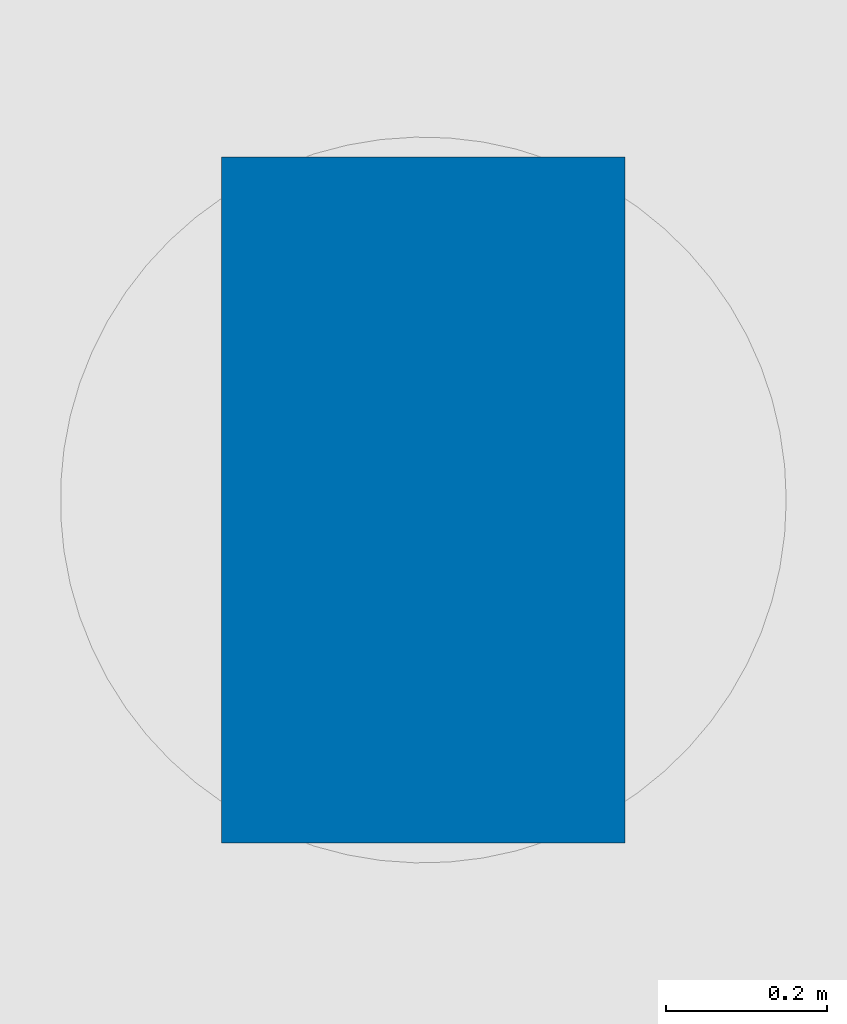
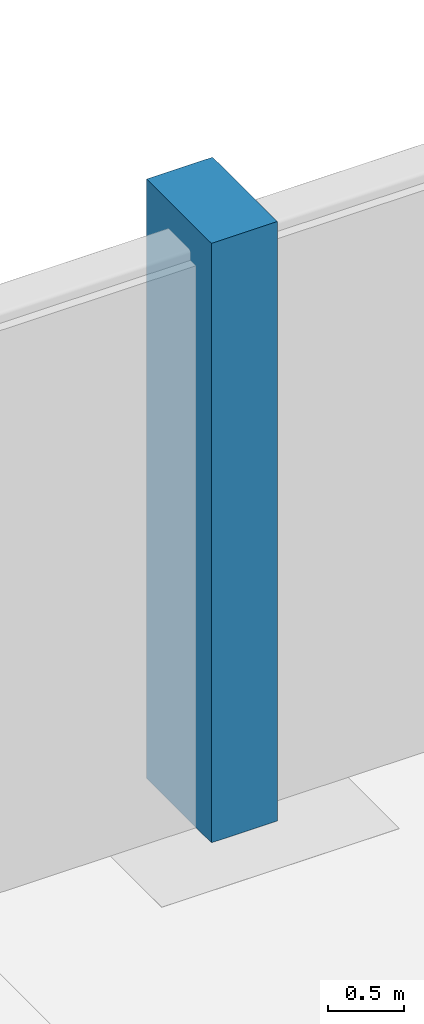
# One storey, part 28 of 105: 1 column.
"""IFC4 building model written with IfcOpenShell, lengths in metres."""

import ifcopenshell
import ifcopenshell.guid

model = None  # the IFC model being written
_history = None  # IfcOwnerHistory: only IFC2X3 demands one
_inside = {}  # id of a spatial element -> (the spatial element, [elements in it])
_under = {}  # id of a project, library or spatial element -> (it, [spatial elements below it])
_declared = {}  # id of a project -> (the project, [libraries it declares])
_typed = {}  # id of a type object -> (the type object, [elements of that type])
_made_of = {}  # id of a material, layer set ... -> (it, [elements and type objects made of it])


def new_model(schema):
    """Start an empty IFC model of exactly this schema.

    Asked for "IFC4X3", IfcOpenShell would pick the latest addendum, in which some entities
    have other attributes; the version numbers below select the first issue.
    IFC2X3 requires an IfcOwnerHistory on every rooted entity: one is made here for all.
    """
    global model, _history
    if schema == "IFC4X3":
        model = ifcopenshell.file(schema_version=(4, 3, 0, 0))
    else:
        model = ifcopenshell.file(schema=schema)
    _inside.clear()
    _under.clear()
    _declared.clear()
    _typed.clear()
    _made_of.clear()
    _history = None
    if model.schema == "IFC2X3":
        org = make("IfcOrganization", Name="unknown")
        user = make(
            "IfcPersonAndOrganization",
            ThePerson=make("IfcPerson", FamilyName="unknown"),
            TheOrganization=org,
        )
        app = make(
            "IfcApplication",
            ApplicationDeveloper=org,
            Version="unknown",
            ApplicationFullName="unknown",
            ApplicationIdentifier="unknown",
        )
        _history = make(
            "IfcOwnerHistory",
            OwningUser=user,
            OwningApplication=app,
            ChangeAction="ADDED",
            CreationDate=0,
        )
    return model


def make(cls, **values):
    """One entity of the class cls with the attributes given. An attribute that is None is left unset."""
    return model.create_entity(
        cls, **{name: value for name, value in values.items() if value is not None}
    )


def rooted(cls, **values):
    """An entity with a GlobalId (a new one), such as an element, a storey or a relation."""
    return make(cls, GlobalId=ifcopenshell.guid.new(), OwnerHistory=_history, **values)


def si_unit(unit_type, name, prefix=None):
    """IfcSIUnit, for example si_unit("LENGTHUNIT", "METRE", prefix="MILLI")."""
    return make("IfcSIUnit", UnitType=unit_type, Prefix=prefix, Name=name)


def assignment(units):
    """IfcUnitAssignment: the units of a project."""
    return None if units is None else make("IfcUnitAssignment", Units=units)


def point(xyz):
    """IfcCartesianPoint."""
    return None if xyz is None else make("IfcCartesianPoint", Coordinates=xyz)


def direction(xyz):
    """IfcDirection."""
    return None if xyz is None else make("IfcDirection", DirectionRatios=xyz)


def frame(location, z_axis=None, x_axis=None):
    """IfcAxis2Placement3D, a coordinate frame: its origin and axes. An axis left out is left unset."""
    return make(
        "IfcAxis2Placement3D",
        Location=point(location),
        Axis=direction(z_axis),
        RefDirection=direction(x_axis),
    )


def frame_2d(location, x_axis=None):
    """IfcAxis2Placement2D, a coordinate frame in the plane: its origin and x axis."""
    return make(
        "IfcAxis2Placement2D", Location=point(location), RefDirection=direction(x_axis)
    )


def origin():
    """The frame at (0, 0, 0) with its axes left unset."""
    return frame((0.0, 0.0, 0.0))


def origin_2d():
    """The frame at (0, 0) in the plane with its x axis left unset."""
    return frame_2d((0.0, 0.0))


def place(relative_to, where):
    """IfcLocalPlacement: puts the frame where relative to a parent placement (None: the world)."""
    return make(
        "IfcLocalPlacement", PlacementRelTo=relative_to, RelativePlacement=where
    )


def context(
    kind, dimensions, precision=None, world=None, true_north=None, identifier=None
):
    """IfcGeometricRepresentationContext, for example the 3D "Model" context."""
    return make(
        "IfcGeometricRepresentationContext",
        ContextIdentifier=identifier,
        ContextType=kind,
        CoordinateSpaceDimension=dimensions,
        Precision=precision,
        WorldCoordinateSystem=world,
        TrueNorth=true_north,
    )


def subcontext(parent, identifier, kind, view, scale=None):
    """IfcGeometricRepresentationSubContext, for example "Body" below "Model"."""
    return make(
        "IfcGeometricRepresentationSubContext",
        ContextIdentifier=identifier,
        ContextType=kind,
        ParentContext=parent,
        TargetScale=scale,
        TargetView=view,
    )


def project(units=None, contexts=None):
    """IfcProject with its units and contexts."""
    return rooted(
        "IfcProject",
        Name="project",
        RepresentationContexts=contexts,
        UnitsInContext=assignment(units),
    )


def spatial(cls, under=None, at=None, **own):
    """A site, building, storey or space (cls), placed at a placement, below another one or the project."""
    s = rooted(cls, ObjectPlacement=at, **own)
    if under is not None:
        _under.setdefault(under.id(), (under, []))[1].append(s)
    return s


def profile(cls, at=None, kind="AREA", **sizes):
    """A parametric profile (cls). Its sizes go by their IFC names, for example OverallWidth=200.0."""
    return make(cls, ProfileType=kind, Position=at, **sizes)


def rectangle(**sizes):
    """IfcRectangleProfileDef."""
    return profile("IfcRectangleProfileDef", **sizes)


def extrude(swept, where, along, depth):
    """IfcExtrudedAreaSolid: the profile swept, set in the frame where, extruded along a direction by depth."""
    return make(
        "IfcExtrudedAreaSolid",
        SweptArea=swept,
        Position=where,
        ExtrudedDirection=direction(along),
        Depth=depth,
    )


def shape(context_of_items, identifier, shape_type, items):
    """IfcShapeRepresentation: the items that make up one representation, for example the "Body"."""
    return make(
        "IfcShapeRepresentation",
        ContextOfItems=context_of_items,
        RepresentationIdentifier=identifier,
        RepresentationType=shape_type,
        Items=items,
    )


def material(Name=None, Category=None):
    """IfcMaterial."""
    return make("IfcMaterial", Name=Name, Category=Category)


def material_profile(
    of_material, cross_section, Name=None, Category=None, Priority=None
):
    """IfcMaterialProfile: a cross section and its material."""
    return make(
        "IfcMaterialProfile",
        Name=Name,
        Material=of_material,
        Profile=cross_section,
        Priority=Priority,
        Category=Category,
    )


def profile_set(profiles, Name=None, composite=None):
    """IfcMaterialProfileSet."""
    return make(
        "IfcMaterialProfileSet",
        Name=Name,
        MaterialProfiles=profiles,
        CompositeProfile=composite,
    )


def made_of(thing, what):
    """Note that an element or type object is made of a material, layer set ...; save() writes the relation."""
    if what is not None:
        _made_of.setdefault(what.id(), (what, []))[1].append(thing)
    return thing


def type_object(cls, material=None, **own):
    """A type object (cls), such as IfcWallType, which elements share."""
    return made_of(rooted(cls, **own), material)


def element(
    cls,
    number,
    at=None,
    inside=None,
    cuts=None,
    type_object=None,
    material=None,
    context=None,
    identifier="Body",
    shape_type=None,
    held_by="IfcProductDefinitionShape",
    body=None,
    shapes=None,
    **own,
):
    """One element of the class cls, such as IfcWall. Its Tag is "e" and its number.

    at: its placement. inside: the storey or other place that contains it. cuts: it is an
    opening in that element (IfcRelVoidsElement). A single representation is given by context,
    identifier, shape_type and body (its items); several are given by shapes. held_by: the class
    of the entity that holds the representations. save() writes the other relations.
    """
    e = rooted(cls, Tag="e%d" % number, ObjectPlacement=at, **own)
    if body is not None:
        shapes = [shape(context, identifier, shape_type, body)]
    if shapes is not None:
        e.Representation = make(held_by, Representations=shapes)
    if inside is not None:
        _inside.setdefault(inside.id(), (inside, []))[1].append(e)
    if cuts is not None:
        rooted(
            "IfcRelVoidsElement", RelatingBuildingElement=cuts, RelatedOpeningElement=e
        )
    if type_object is not None:
        _typed.setdefault(type_object.id(), (type_object, []))[1].append(e)
    return made_of(e, material)


def aggregate(whole, parts):
    """IfcRelAggregates: a whole, such as a stair, and the parts it consists of."""
    return rooted("IfcRelAggregates", RelatingObject=whole, RelatedObjects=parts)


def save(model, path):
    """Write the relations noted so far, then the file.

    IfcRelAggregates (storeys below a building ...), IfcRelContainedInSpatialStructure (elements
    in a storey), IfcRelDefinesByType, IfcRelAssociatesMaterial and IfcRelDeclares: one each for
    every whole, place, type object, material and project.
    """
    for whole, parts in _under.values():
        aggregate(whole, parts)
    for where, things in _inside.values():
        rooted(
            "IfcRelContainedInSpatialStructure",
            RelatedElements=things,
            RelatingStructure=where,
        )
    for kind, things in _typed.values():
        rooted("IfcRelDefinesByType", RelatedObjects=things, RelatingType=kind)
    for what, things in _made_of.values():
        rooted("IfcRelAssociatesMaterial", RelatedObjects=things, RelatingMaterial=what)
    for by, libraries in _declared.values():
        rooted("IfcRelDeclares", RelatingContext=by, RelatedDefinitions=libraries)
    model.write(path)


model = new_model("IFC4")

# Units and contexts
model_context = context("Model", 3, precision=1e-05, world=origin(), true_north=direction((0.0, 1.0)))
body_context = subcontext(model_context, "Body", "Model", "MODEL_VIEW")
ifc_project = project(units=[si_unit("LENGTHUNIT", "METRE"), si_unit("AREAUNIT", "SQUARE_METRE"), si_unit("VOLUMEUNIT", "CUBIC_METRE"), si_unit("PLANEANGLEUNIT", "RADIAN"), si_unit("MASSUNIT", "GRAM", prefix="KILO")], contexts=[model_context])

# Site, building, storey
site_placement = place(None, origin())
site = spatial("IfcSite", under=ifc_project, at=site_placement, CompositionType="ELEMENT")
building_placement = place(site_placement, origin())
building = spatial("IfcBuilding", under=site, at=building_placement, Name="Solmirada Galleria", CompositionType="ELEMENT")
storey_placement = place(building_placement, frame((0.0, 0.0, -4.800048828125)))
storey = spatial("IfcBuildingStorey", under=building, at=storey_placement, Name="B1", CompositionType="ELEMENT", Elevation=-4.800048828125)

# Column
ifc_material = material(Name="Precast concrete C40/50", Category="concrete")
ifc_material_profile = material_profile(ifc_material, rectangle(XDim=0.5, YDim=0.85009765625, at=origin_2d()), Name="RC850X500")
ifc_profile_set = profile_set([ifc_material_profile], Name="Precast concrete C40/50")
column_type = type_object("IfcColumnType", Name="PIL-RC850", PredefinedType="PILASTER", material=ifc_profile_set)
column_placement = place(storey_placement, frame((68.0, 120.0, 0.0), z_axis=(0.0, 0.0, 1.0), x_axis=(1.0, 0.0, 0.0)))
element("IfcColumn", 1, at=column_placement, inside=storey, type_object=column_type, Name="Avenue pilaster B1-005", PredefinedType="PILASTER", context=body_context, shape_type="SweptSolid", body=[
    extrude(rectangle(XDim=0.5, YDim=0.85009765625, at=origin_2d()), origin(), (0.0, 0.0, 1.0), 4.800048828125),
])

save(model, "model.ifc")
